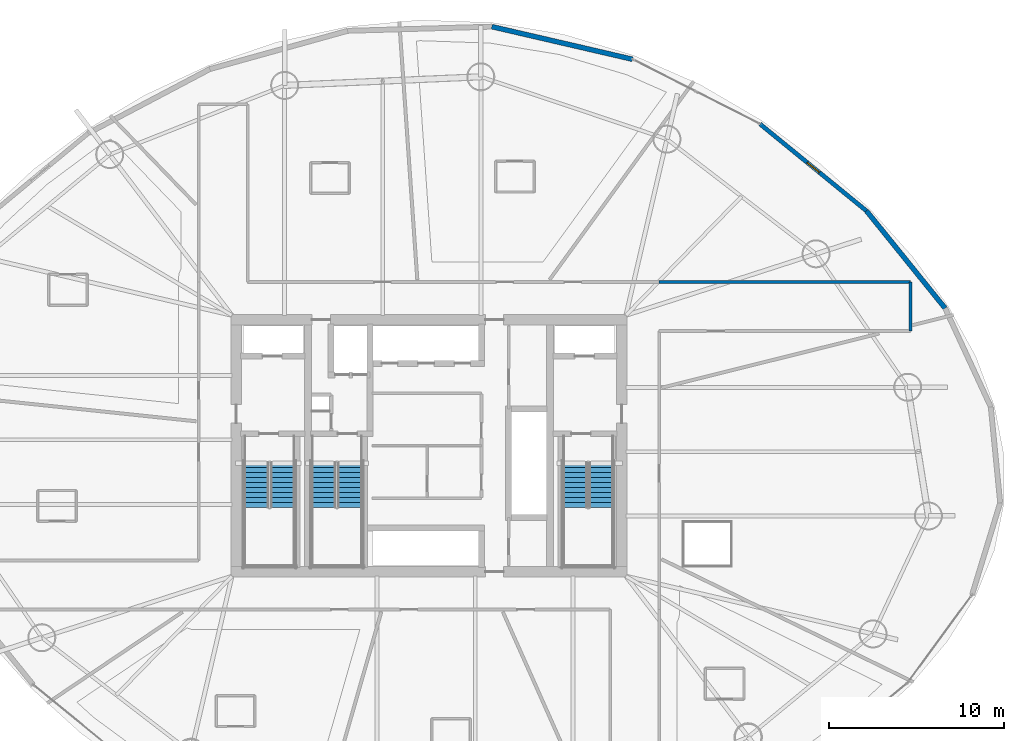
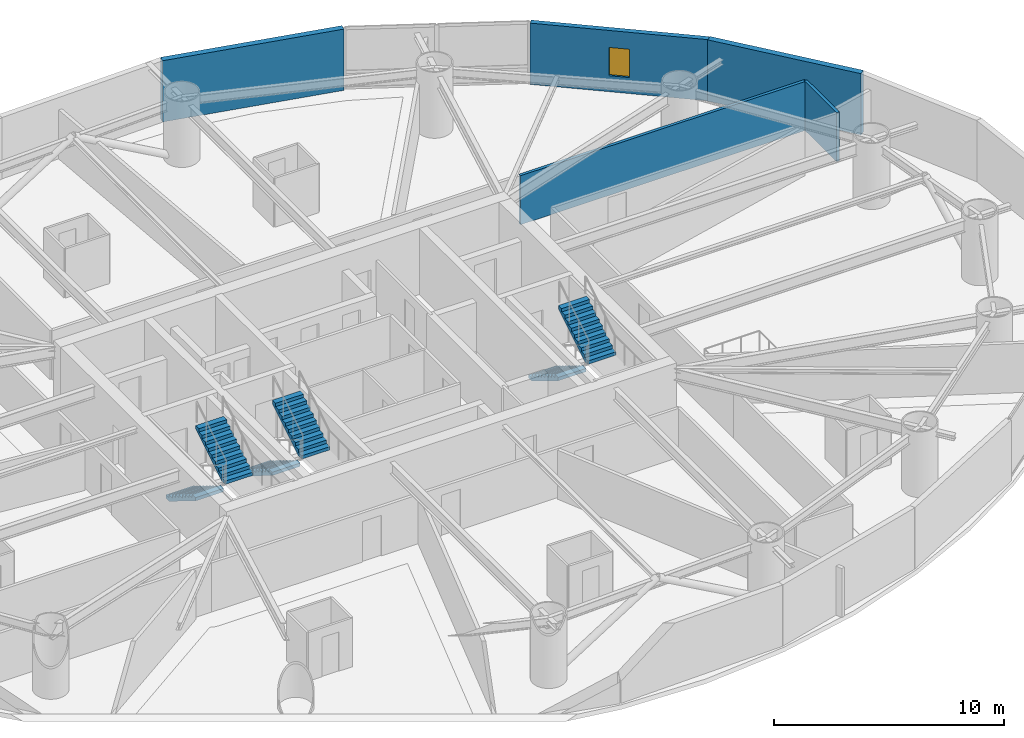
# One storey, part 17 of 20: 6 stair flights, 5 walls, 1 window, 1 opening, 3 elements without a shape of their own.
"""IFC4 building model written with IfcOpenShell, lengths in metres."""

from ifc_helpers import new_model, si_unit, direction, frame, frame_2d, origin, place, context, subcontext, project, spatial, polyline, rectangle, outline, extrude, material, layer, layer_set, type_object, element, fill, aggregate, save


model = new_model("IFC4")

# Units and contexts
model_context = context("Model", 3, precision=1e-05, world=origin(), true_north=direction((0.0, 1.0)))
body_context = subcontext(model_context, "Body", "Model", "MODEL_VIEW")
ifc_project = project(units=[si_unit("LENGTHUNIT", "METRE"), si_unit("AREAUNIT", "SQUARE_METRE"), si_unit("VOLUMEUNIT", "CUBIC_METRE"), si_unit("PLANEANGLEUNIT", "RADIAN"), si_unit("MASSUNIT", "GRAM", prefix="KILO")], contexts=[model_context])

# Site, building, storey
site_placement = place(None, origin())
site = spatial("IfcSite", under=ifc_project, at=site_placement, CompositionType="ELEMENT")
building_placement = place(site_placement, origin())
building = spatial("IfcBuilding", under=site, at=building_placement, Name="Bramvorn Convention Spire", CompositionType="ELEMENT")
storey_placement = place(building_placement, frame((0.0, 0.0, 58.89990234375)))
storey = spatial("IfcBuildingStorey", under=building, at=storey_placement, Name="L12", CompositionType="ELEMENT", Elevation=58.89990234375)

# Wall
ifc_material_1 = material(Name="Precast Concrete C40/50 with Bronze Terracotta Rainscreen", Category="masonry")
ifc_layer_1 = layer(ifc_material_1, 0.300048828125)
ifc_layer_set_1 = layer_set([ifc_layer_1], Name="Precast Concrete C40/50 with Bronze Terracotta Rainscreen - WL-EXT-BRONZE-300")
wall_type_1 = type_object("IfcWallType", Name="WL-EXT-BRONZE-300", PredefinedType="SOLIDWALL", material=ifc_layer_set_1)
wall_1_placement = place(storey_placement, frame((62.98583984375, 39.409912109375, 0.0), z_axis=(0.0, 0.0, 1.0), x_axis=(0.628451663088, -0.777848640265, 0.0)))
element("IfcWall", 1, at=wall_1_placement, inside=storey, type_object=wall_type_1, Name="L12 expressed bronze Gothic lancet pier wall 03", PredefinedType="SOLIDWALL", context=body_context, shape_type="SweptSolid", body=[
    extrude(rectangle(XDim=7.14306640625, YDim=0.280029296875, at=frame_2d((3.571533203125, 0.0))), origin(), (0.0, 0.0, 1.0), 3.25),
])

# Wall, opening, window
wall_2_placement = place(storey_placement, frame((56.907958984375, 44.369873046875, 0.0), z_axis=(0.0, 0.0, 1.0), x_axis=(0.774759508841, -0.632256042644, 0.0)))
wall_2 = element("IfcWall", 2, at=wall_2_placement, inside=storey, type_object=wall_type_1, Name="L12 bronze ceramic-frit spandrel & operable window bay 04", PredefinedType="SOLIDWALL", context=body_context, shape_type="SweptSolid", body=[
    extrude(rectangle(XDim=7.844970703125, YDim=0.239990234375, at=frame_2d((3.92236328125, 0.0))), origin(), (0.0, 0.0, 1.0), 3.25),
])
opening_placement = place(wall_2_placement, frame((3.472412109375, 0.0, 0.85009765625)))
opening = element("IfcOpeningElement", 3, at=opening_placement, cuts=wall_2, Name="Opening WN06", PredefinedType="OPENING", context=body_context, shape_type="SweptSolid", body=[
    extrude(rectangle(XDim=0.89990234375, YDim=1.5, at=frame_2d((0.449951171875, 0.75))), frame((0.0, 0.1298828125, 0.0), z_axis=(0.0, -1.0, 0.0), x_axis=(1.0, 0.0, 0.0)), (0.0, 0.0, 1.0), 0.260009765625),
])
ifc_material_2 = material(Name="Thermally Broken Bronze Aluminium & Triple Low-E Glass", Category="aluminium")
window_type = type_object("IfcWindowType", Name="WN-OP-0900X1500", PartitioningType="SINGLE_PANEL", PredefinedType="WINDOW", material=ifc_material_2)
window_placement = place(opening_placement, origin())
window = element("IfcWindow", 4, at=window_placement, inside=storey, type_object=window_type, Name="L12 operable parallel-vent window 04", OverallHeight=1.5, OverallWidth=0.89990234375, PartitioningType="SINGLE_PANEL", PredefinedType="WINDOW", context=body_context, shape_type="SweptSolid", body=[
    extrude(rectangle(XDim=0.89990234375, YDim=1.5, at=frame_2d((0.449951171875, 0.75))), frame((0.0, 0.030029296875, 0.0), z_axis=(0.0, -1.0, 0.0), x_axis=(1.0, 0.0, 0.0)), (0.0, 0.0, 1.0), 0.06005859375),
])
fill(opening, window)

# Walls
wall_3_placement = place(storey_placement, frame((41.5947265625, 49.931640625, 0.0), z_axis=(0.0, 0.0, 1.0), x_axis=(0.974146467813, -0.22591737261, 0.0)))
element("IfcWall", 5, at=wall_3_placement, inside=storey, type_object=wall_type_1, Name="L12 expressed bronze Gothic lancet pier wall 06", PredefinedType="SOLIDWALL", context=body_context, shape_type="SweptSolid", body=[
    extrude(rectangle(XDim=8.2412109375, YDim=0.280029296875, at=frame_2d((4.12060546875, 0.0))), origin(), (0.0, 0.0, 1.0), 3.25),
])
ifc_material_3 = material(Name="Acoustic Metal-Stud Tenant/Corridor Partition", Category="gypsum")
ifc_layer_2 = layer(ifc_material_3, 0.14990234375)
ifc_layer_set_2 = layer_set([ifc_layer_2], Name="Acoustic Metal-Stud Tenant/Corridor Partition - WL-PART-150")
wall_type_2 = type_object("IfcWallType", Name="WL-PART-150", PredefinedType="PARTITIONING", material=ifc_layer_set_2)
wall_4_placement = place(storey_placement, frame((51.14990234375, 35.35009765625, 0.0), z_axis=(0.0, 0.0, 1.0), x_axis=(1.0, 0.0, 0.0)))
element("IfcWall", 6, at=wall_4_placement, inside=storey, type_object=wall_type_2, Name="L12 NE pinwheel wing north wall", PredefinedType="PARTITIONING", context=body_context, shape_type="SweptSolid", body=[
    extrude(rectangle(XDim=14.35009765625, YDim=0.14990234375, at=frame_2d((7.175048828125, 0.0))), origin(), (0.0, 0.0, 1.0), 2.60009765625),
])
wall_5_placement = place(storey_placement, frame((65.5, 32.550048828125, 0.0), z_axis=(0.0, 0.0, 1.0), x_axis=(0.0, 1.0, 0.0)))
element("IfcWall", 7, at=wall_5_placement, inside=storey, type_object=wall_type_2, Name="L12 NE pinwheel end wall", PredefinedType="PARTITIONING", context=body_context, shape_type="SweptSolid", body=[
    extrude(rectangle(XDim=2.800048828125, YDim=0.14990234375, at=frame_2d((1.39990234375, 0.0))), origin(), (0.0, 0.0, 1.0), 2.60009765625),
])

# Stair, stair flights
ifc_material_4 = material(Name="Concrete C40/50 Precast Stair", Category="concrete")
stair_type = type_object("IfcStairType", Name="ST-TOWER-1550", PredefinedType="HALF_TURN_STAIR", material=ifc_material_4)
stair_1_placement = place(storey_placement, origin())
stair_1 = element("IfcStair", 8, at=stair_1_placement, inside=storey, type_object=stair_type, Name="L12 Protected Exit Stair ST1", PredefinedType="HALF_TURN_STAIR")
ifc_material_5 = material(Name="Concrete C40/50 Precast Stair Flight", Category="concrete")
stair_flight_type = type_object("IfcStairFlightType", Name="STF-TOWER-1550", PredefinedType="STRAIGHT", material=ifc_material_5)
stair_flight_1_placement = place(storey_placement, frame((28.155029296875, 25.050048828125, 0.0), z_axis=(0.0, 0.0, 1.0), x_axis=(0.0, -1.0, 0.0)))
stair_flight_1 = element("IfcStairFlight", 9, at=stair_flight_1_placement, type_object=stair_flight_type, Name="ST1 flight 1", NumberOfRisers=10, NumberOfTreads=9, PredefinedType="STRAIGHT", RiserHeight=0.175, TreadLength=0.285, context=body_context, shape_type="SweptSolid", body=[
    extrude(outline(polyline([(0.0, 0.0), (0.0, 0.175048828125), (0.284912109375, 0.175048828125), (0.284912109375, 0.35009765625), (0.570068359375, 0.35009765625), (0.570068359375, 0.52490234375), (0.85498046875, 0.52490234375), (0.85498046875, 0.699951171875), (1.139892578125, 0.699951171875), (1.139892578125, 0.875), (1.425048828125, 0.875), (1.425048828125, 1.050048828125), (1.7099609375, 1.050048828125), (1.7099609375, 1.22509765625), (1.9951171875, 1.22509765625), (1.9951171875, 1.39990234375), (2.280029296875, 1.39990234375), (2.280029296875, 1.574951171875), (2.56494140625, 1.574951171875), (2.56494140625, 1.75), (2.56494140625, 1.399169921875), (0.286376953125, 0.0), (0.0, 0.0)])), frame((0.0, 0.705078125, 0.0), z_axis=(0.0, -1.0, 0.0), x_axis=(1.0, 0.0, 0.0)), (0.0, 0.0, 1.0), 1.409912109375),
])
stair_flight_2_placement = place(storey_placement, frame((29.64501953125, 22.485107421875, 1.75), z_axis=(0.0, 0.0, 1.0), x_axis=(0.0, 1.0, 0.0)))
stair_flight_2 = element("IfcStairFlight", 10, at=stair_flight_2_placement, type_object=stair_flight_type, Name="ST1 flight 2", NumberOfRisers=10, NumberOfTreads=9, PredefinedType="STRAIGHT", RiserHeight=0.175, TreadLength=0.285, context=body_context, shape_type="SweptSolid", body=[
    extrude(outline(polyline([(0.0, 0.0), (0.0, 0.175048828125), (0.284912109375, 0.175048828125), (0.284912109375, 0.35009765625), (0.570068359375, 0.35009765625), (0.570068359375, 0.52490234375), (0.85498046875, 0.52490234375), (0.85498046875, 0.699951171875), (1.139892578125, 0.699951171875), (1.139892578125, 0.875), (1.425048828125, 0.875), (1.425048828125, 1.050048828125), (1.7099609375, 1.050048828125), (1.7099609375, 1.22509765625), (1.9951171875, 1.22509765625), (1.9951171875, 1.39990234375), (2.280029296875, 1.39990234375), (2.280029296875, 1.574951171875), (2.56494140625, 1.574951171875), (2.56494140625, 1.75), (2.56494140625, 1.399169921875), (0.286376953125, 0.0), (0.0, 0.0)])), frame((0.0, 0.705078125, 0.0), z_axis=(0.0, -1.0, 0.0), x_axis=(1.0, 0.0, 0.0)), (0.0, 0.0, 1.0), 1.409912109375),
])
aggregate(stair_1, [stair_flight_1, stair_flight_2])

stair_2_placement = place(storey_placement, origin())
stair_2 = element("IfcStair", 11, at=stair_2_placement, inside=storey, type_object=stair_type, Name="L12 Protected Exit Stair ST2", PredefinedType="HALF_TURN_STAIR")
stair_flight_3_placement = place(storey_placement, frame((46.35498046875, 25.050048828125, 0.0), z_axis=(0.0, 0.0, 1.0), x_axis=(0.0, -1.0, 0.0)))
stair_flight_3 = element("IfcStairFlight", 12, at=stair_flight_3_placement, type_object=stair_flight_type, Name="ST2 flight 1", NumberOfRisers=10, NumberOfTreads=9, PredefinedType="STRAIGHT", RiserHeight=0.175, TreadLength=0.285, context=body_context, shape_type="SweptSolid", body=[
    extrude(outline(polyline([(0.0, 0.0), (0.0, 0.175048828125), (0.284912109375, 0.175048828125), (0.284912109375, 0.35009765625), (0.570068359375, 0.35009765625), (0.570068359375, 0.52490234375), (0.85498046875, 0.52490234375), (0.85498046875, 0.699951171875), (1.139892578125, 0.699951171875), (1.139892578125, 0.875), (1.425048828125, 0.875), (1.425048828125, 1.050048828125), (1.7099609375, 1.050048828125), (1.7099609375, 1.22509765625), (1.9951171875, 1.22509765625), (1.9951171875, 1.39990234375), (2.280029296875, 1.39990234375), (2.280029296875, 1.574951171875), (2.56494140625, 1.574951171875), (2.56494140625, 1.75), (2.56494140625, 1.399169921875), (0.286376953125, 0.0), (0.0, 0.0)])), frame((0.0, 0.705078125, 0.0), z_axis=(0.0, -1.0, 0.0), x_axis=(1.0, 0.0, 0.0)), (0.0, 0.0, 1.0), 1.409912109375),
])
stair_flight_4_placement = place(storey_placement, frame((47.844970703125, 22.485107421875, 1.75), z_axis=(0.0, 0.0, 1.0), x_axis=(0.0, 1.0, 0.0)))
stair_flight_4 = element("IfcStairFlight", 13, at=stair_flight_4_placement, type_object=stair_flight_type, Name="ST2 flight 2", NumberOfRisers=10, NumberOfTreads=9, PredefinedType="STRAIGHT", RiserHeight=0.175, TreadLength=0.285, context=body_context, shape_type="SweptSolid", body=[
    extrude(outline(polyline([(0.0, 0.0), (0.0, 0.175048828125), (0.284912109375, 0.175048828125), (0.284912109375, 0.35009765625), (0.570068359375, 0.35009765625), (0.570068359375, 0.52490234375), (0.85498046875, 0.52490234375), (0.85498046875, 0.699951171875), (1.139892578125, 0.699951171875), (1.139892578125, 0.875), (1.425048828125, 0.875), (1.425048828125, 1.050048828125), (1.7099609375, 1.050048828125), (1.7099609375, 1.22509765625), (1.9951171875, 1.22509765625), (1.9951171875, 1.39990234375), (2.280029296875, 1.39990234375), (2.280029296875, 1.574951171875), (2.56494140625, 1.574951171875), (2.56494140625, 1.75), (2.56494140625, 1.399169921875), (0.286376953125, 0.0), (0.0, 0.0)])), frame((0.0, 0.705078125, 0.0), z_axis=(0.0, -1.0, 0.0), x_axis=(1.0, 0.0, 0.0)), (0.0, 0.0, 1.0), 1.409912109375),
])
aggregate(stair_2, [stair_flight_3, stair_flight_4])

stair_3_placement = place(storey_placement, origin())
stair_3 = element("IfcStair", 14, at=stair_3_placement, inside=storey, type_object=stair_type, Name="L12 Protected Exit Stair ST3", PredefinedType="HALF_TURN_STAIR")
stair_flight_5_placement = place(storey_placement, frame((32.0048828125, 25.050048828125, 0.0), z_axis=(0.0, 0.0, 1.0), x_axis=(0.0, -1.0, 0.0)))
stair_flight_5 = element("IfcStairFlight", 15, at=stair_flight_5_placement, type_object=stair_flight_type, Name="ST3 flight 1", NumberOfRisers=10, NumberOfTreads=9, PredefinedType="STRAIGHT", RiserHeight=0.175, TreadLength=0.285, context=body_context, shape_type="SweptSolid", body=[
    extrude(outline(polyline([(0.0, 0.0), (0.0, 0.175048828125), (0.284912109375, 0.175048828125), (0.284912109375, 0.35009765625), (0.570068359375, 0.35009765625), (0.570068359375, 0.52490234375), (0.85498046875, 0.52490234375), (0.85498046875, 0.699951171875), (1.139892578125, 0.699951171875), (1.139892578125, 0.875), (1.425048828125, 0.875), (1.425048828125, 1.050048828125), (1.7099609375, 1.050048828125), (1.7099609375, 1.22509765625), (1.9951171875, 1.22509765625), (1.9951171875, 1.39990234375), (2.280029296875, 1.39990234375), (2.280029296875, 1.574951171875), (2.56494140625, 1.574951171875), (2.56494140625, 1.75), (2.56494140625, 1.399169921875), (0.286376953125, 0.0), (0.0, 0.0)])), frame((0.0, 0.705078125, 0.0), z_axis=(0.0, -1.0, 0.0), x_axis=(1.0, 0.0, 0.0)), (0.0, 0.0, 1.0), 1.409912109375),
])
stair_flight_6_placement = place(storey_placement, frame((33.4951171875, 22.485107421875, 1.75), z_axis=(0.0, 0.0, 1.0), x_axis=(0.0, 1.0, 0.0)))
stair_flight_6 = element("IfcStairFlight", 16, at=stair_flight_6_placement, type_object=stair_flight_type, Name="ST3 flight 2", NumberOfRisers=10, NumberOfTreads=9, PredefinedType="STRAIGHT", RiserHeight=0.175, TreadLength=0.285, context=body_context, shape_type="SweptSolid", body=[
    extrude(outline(polyline([(0.0, 0.0), (0.0, 0.175048828125), (0.284912109375, 0.175048828125), (0.284912109375, 0.35009765625), (0.570068359375, 0.35009765625), (0.570068359375, 0.52490234375), (0.85498046875, 0.52490234375), (0.85498046875, 0.699951171875), (1.139892578125, 0.699951171875), (1.139892578125, 0.875), (1.425048828125, 0.875), (1.425048828125, 1.050048828125), (1.7099609375, 1.050048828125), (1.7099609375, 1.22509765625), (1.9951171875, 1.22509765625), (1.9951171875, 1.39990234375), (2.280029296875, 1.39990234375), (2.280029296875, 1.574951171875), (2.56494140625, 1.574951171875), (2.56494140625, 1.75), (2.56494140625, 1.399169921875), (0.286376953125, 0.0), (0.0, 0.0)])), frame((0.0, 0.705078125, 0.0), z_axis=(0.0, -1.0, 0.0), x_axis=(1.0, 0.0, 0.0)), (0.0, 0.0, 1.0), 1.409912109375),
])
aggregate(stair_3, [stair_flight_5, stair_flight_6])

save(model, "model.ifc")
